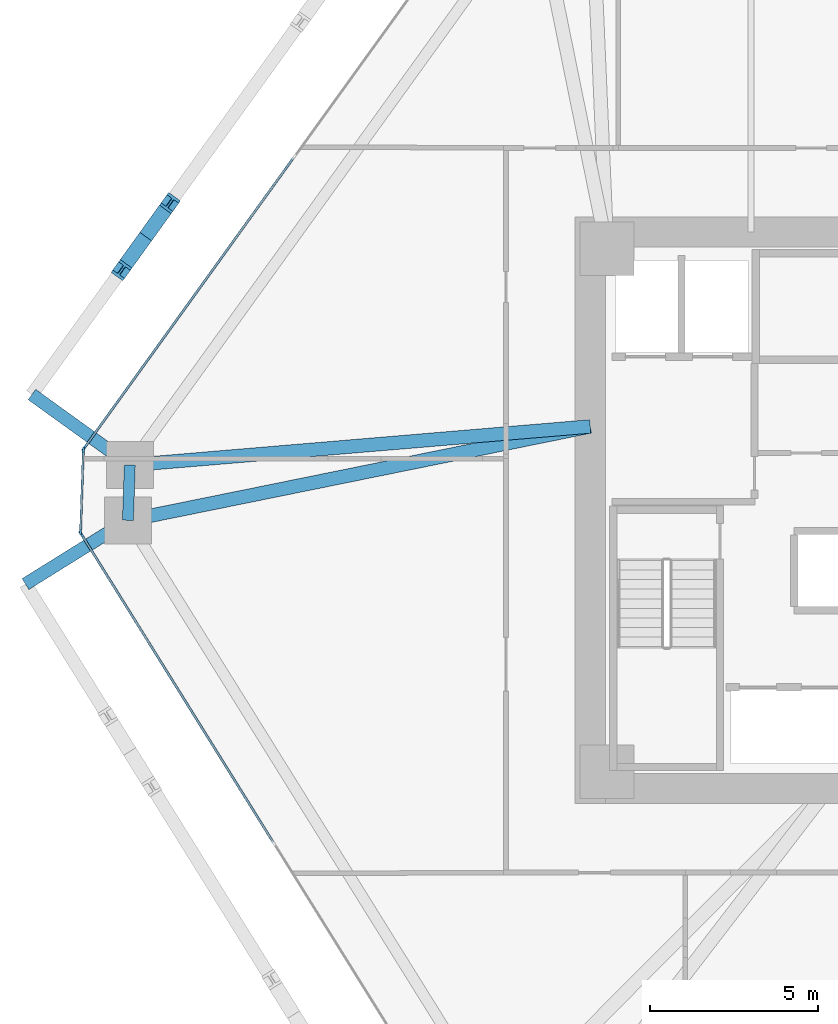
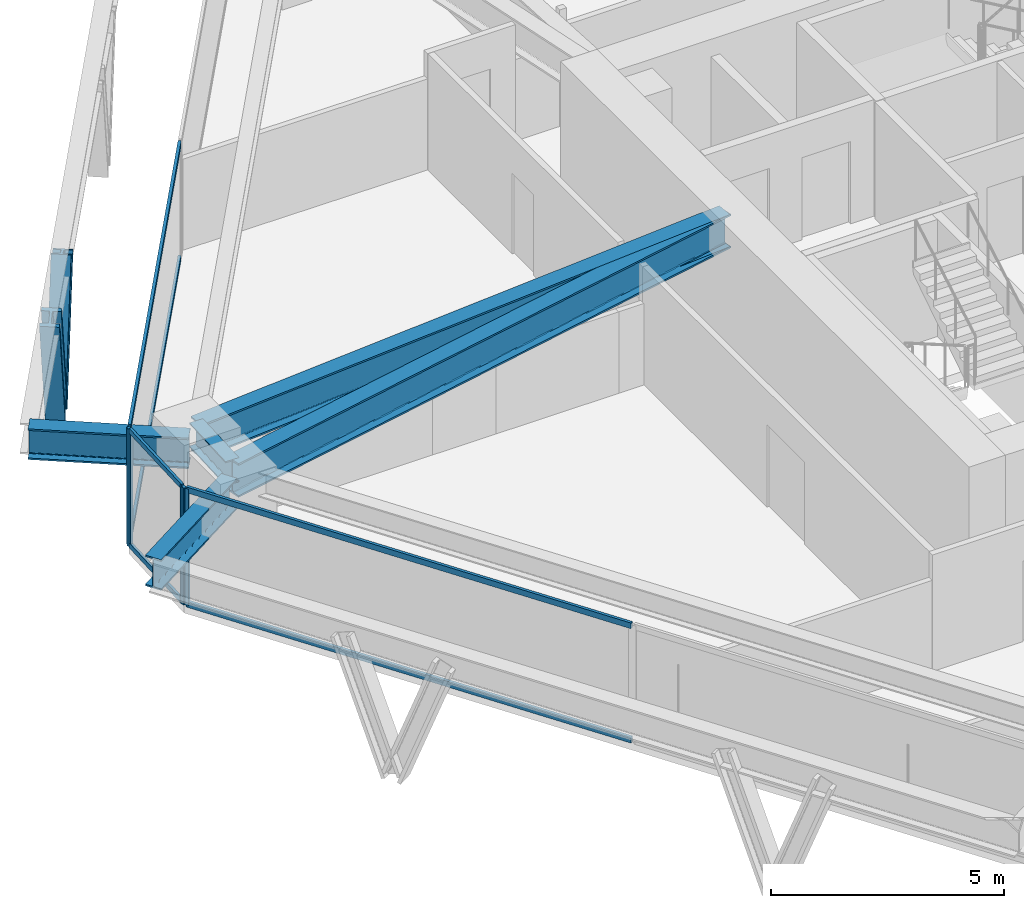
# One storey, part 4 of 14: 12 members, 5 beams, 3 elements without a shape of their own.
"""IFC4 building model written with IfcOpenShell, lengths in metres."""

from ifc_helpers import new_model, si_unit, direction, frame, origin, origin_2d, place, context, subcontext, project, spatial, rectangle, i_section, extrude, source, transform, mapped, material, layer, layer_set, material_profile, profile_set, type_object, type_shapes, element, aggregate, save


model = new_model("IFC4")

# Units and contexts
model_context = context("Model", 3, precision=1e-05, world=origin(), true_north=direction((0.0, 1.0)))
body_context = subcontext(model_context, "Body", "Model", "MODEL_VIEW")
ifc_project = project(units=[si_unit("LENGTHUNIT", "METRE"), si_unit("AREAUNIT", "SQUARE_METRE"), si_unit("VOLUMEUNIT", "CUBIC_METRE"), si_unit("PLANEANGLEUNIT", "RADIAN"), si_unit("MASSUNIT", "GRAM", prefix="KILO")], contexts=[model_context])

# Site, building, storey
site_placement = place(None, origin())
site = spatial("IfcSite", under=ifc_project, at=site_placement, CompositionType="ELEMENT")
building_placement = place(site_placement, origin())
building = spatial("IfcBuilding", under=site, at=building_placement, Name="Durnholm Broadcast Tower", CompositionType="ELEMENT")
storey_placement = place(building_placement, frame((0.0, 0.0, 48.89990234375)))
storey = spatial("IfcBuildingStorey", under=building, at=storey_placement, Name="L11", CompositionType="ELEMENT", Elevation=48.89990234375)

# Beams
ifc_material_1 = material(Name="Steel ASTM A992 Grade 50", Category="steel")
ifc_material_profile_1 = material_profile(ifc_material_1, i_section(OverallWidth=0.3291015625, OverallDepth=0.635009765625, WebThickness=0.017822265625, FlangeThickness=0.031005859375, FilletRadius=0.02783203125, at=origin_2d()), Name="W24X162")
ifc_profile_set_1 = profile_set([ifc_material_profile_1], Name="Steel ASTM A992 Grade 50")
beam_type_1 = type_object("IfcBeamType", Name="STL-SP-W24X162", PredefinedType="SPANDREL", material=ifc_profile_set_1)
shared_shape_1 = source(origin(), body_context, "Body", "SweptSolid", [
    extrude(i_section(OverallWidth=0.3291015625, OverallDepth=0.635009765625, WebThickness=0.017822265625, FlangeThickness=0.031005859375, FilletRadius=0.02783203125, at=origin_2d()), origin(), (0.0, 0.0, 1.0), 1.648193359375),
])
type_shapes(beam_type_1, [shared_shape_1])
beam_1_placement = place(storey_placement, frame((-24.0908203125, -0.2998046875, 2.7275390625), z_axis=(0.033921477804, 0.999424501072, 0.0), x_axis=(-0.999424501072, 0.033921477804, 0.0)))
element("IfcBeam", 1, at=beam_1_placement, inside=storey, type_object=beam_type_1, Name="L11 perimeter spandrel girder 02", PredefinedType="SPANDREL", context=body_context, shape_type="MappedRepresentation", body=[
    mapped(shared_shape_1, transform((0.0, 0.0, 0.0), x_axis=(1.0, 0.0, 0.0), y_axis=(0.0, 1.0, 0.0), z_axis=(0.0, 0.0, 1.0), scale=1.0)),
])
ifc_material_profile_2 = material_profile(ifc_material_1, i_section(OverallWidth=0.404052734375, OverallDepth=0.885009765625, WebThickness=0.0244140625, FlangeThickness=0.0439453125, FilletRadius=0.03564453125, at=origin_2d()), Name="W33X291")
ifc_profile_set_2 = profile_set([ifc_material_profile_2], Name="Steel ASTM A992 Grade 50")
beam_type_2 = type_object("IfcBeamType", Name="STL-GR-W33X291", PredefinedType="USERDEFINED", material=ifc_profile_set_2)
shared_shape_2 = source(origin(), body_context, "Body", "SweptSolid", [
    extrude(i_section(OverallWidth=0.404052734375, OverallDepth=0.885009765625, WebThickness=0.0244140625, FlangeThickness=0.0439453125, FilletRadius=0.03564453125, at=origin_2d()), origin(), (0.0, 0.0, 1.0), 14.072021484375),
])
beam_2_placement = place(storey_placement, frame((-10.300048828125, 2.5, 2.6025390625), z_axis=(-0.980007356767, -0.198961254225, 0.0), x_axis=(0.198961254225, -0.980007356767, 0.0)))
element("IfcBeam", 2, at=beam_2_placement, inside=storey, type_object=beam_type_2, Name="L11 radial primary floor girder 02", ObjectType="GIRDER", PredefinedType="USERDEFINED", context=body_context, shape_type="MappedRepresentation", body=[
    mapped(shared_shape_2, transform((0.0, 0.0, 0.0), x_axis=(1.0, 0.0, 0.0), y_axis=(0.0, 1.0, 0.0), z_axis=(0.0, 0.0, 1.0), scale=1.0)),
])
shared_shape_3 = source(origin(), body_context, "Body", "SweptSolid", [
    extrude(i_section(OverallWidth=0.404052734375, OverallDepth=0.885009765625, WebThickness=0.0244140625, FlangeThickness=0.0439453125, FilletRadius=0.03564453125, at=origin_2d()), origin(), (0.0, 0.0, 1.0), 13.783203125),
])
type_shapes(beam_type_2, [shared_shape_2, shared_shape_3])
beam_3_placement = place(storey_placement, frame((-10.300048828125, 2.5, 2.6025390625), z_axis=(-0.996497460403, -0.083623031579, 0.0), x_axis=(0.083623031579, -0.996497460403, 0.0)))
element("IfcBeam", 3, at=beam_3_placement, inside=storey, type_object=beam_type_2, Name="L11 radial primary floor girder 03", ObjectType="GIRDER", PredefinedType="USERDEFINED", context=body_context, shape_type="MappedRepresentation", body=[
    mapped(shared_shape_3, transform((0.0, 0.0, 0.0), x_axis=(1.0, 0.0, 0.0), y_axis=(0.0, 1.0, 0.0), z_axis=(0.0, 0.0, 1.0), scale=1.0)),
])
ifc_material_profile_3 = material_profile(ifc_material_1, i_section(OverallWidth=0.385009765625, OverallDepth=0.802978515625, WebThickness=0.023681640625, FlangeThickness=0.0419921875, FilletRadius=0.032958984375, at=origin_2d()), Name="W30X261")
ifc_profile_set_3 = profile_set([ifc_material_profile_3], Name="Steel ASTM A992 Grade 50")
beam_type_3 = type_object("IfcBeamType", Name="BM-EXO-TIE", PredefinedType="USERDEFINED", material=ifc_profile_set_3)
shared_shape_4 = source(origin(), body_context, "Body", "SweptSolid", [
    extrude(i_section(OverallWidth=0.385009765625, OverallDepth=0.802978515625, WebThickness=0.023681640625, FlangeThickness=0.0419921875, FilletRadius=0.032958984375, at=origin_2d()), origin(), (0.0, 0.0, 1.0), 3.4560546875),
])
beam_4_placement = place(storey_placement, frame((-24.212890625, -0.375732421875, 2.30859375), z_axis=(-0.848874183218, -0.528594949906, 0.0), x_axis=(0.528594949906, -0.848874183218, 0.0)))
element("IfcBeam", 4, at=beam_4_placement, inside=storey, type_object=beam_type_3, Name="L11 exoskeleton stand-off tie bracket F6.1", ObjectType="GIRDER", PredefinedType="USERDEFINED", context=body_context, shape_type="MappedRepresentation", body=[
    mapped(shared_shape_4, transform((0.0, 0.0, 0.0), x_axis=(1.0, 0.0, 0.0), y_axis=(0.0, 1.0, 0.0), z_axis=(0.0, 0.0, 1.0), scale=1.0)),
])
shared_shape_5 = source(origin(), body_context, "Body", "SweptSolid", [
    extrude(i_section(OverallWidth=0.385009765625, OverallDepth=0.802978515625, WebThickness=0.023681640625, FlangeThickness=0.0419921875, FilletRadius=0.032958984375, at=origin_2d()), origin(), (0.0, 0.0, 1.0), 3.455810546875),
])
type_shapes(beam_type_3, [shared_shape_4, shared_shape_5])
beam_5_placement = place(storey_placement, frame((-24.15185546875, 1.431396484375, 2.30859375), z_axis=(-0.811133512552, 0.584861030344, 0.0), x_axis=(-0.584861030344, -0.811133512552, 0.0)))
element("IfcBeam", 5, at=beam_5_placement, inside=storey, type_object=beam_type_3, Name="L11 exoskeleton stand-off tie bracket F5.2", ObjectType="GIRDER", PredefinedType="USERDEFINED", context=body_context, shape_type="MappedRepresentation", body=[
    mapped(shared_shape_5, transform((0.0, 0.0, 0.0), x_axis=(1.0, 0.0, 0.0), y_axis=(0.0, 1.0, 0.0), z_axis=(0.0, 0.0, 1.0), scale=1.0)),
])

# Members
ifc_material_2 = material(Name="Steel ASTM A913 Grade 65", Category="steel")
ifc_material_profile_4 = material_profile(ifc_material_2, i_section(OverallWidth=0.43212890625, OverallDepth=0.497802734375, WebThickness=0.0556640625, FlangeThickness=0.0888671875, FilletRadius=0.030517578125, at=origin_2d()), Name="W14X500")
ifc_profile_set_4 = profile_set([ifc_material_profile_4], Name="Steel ASTM A913 Grade 65")
member_type_1 = type_object("IfcMemberType", Name="STL-DG-W14X500", PredefinedType="BRACE", material=ifc_profile_set_4)
shared_shape_6 = source(origin(), body_context, "Body", "SweptSolid", [
    extrude(i_section(OverallWidth=0.43212890625, OverallDepth=0.497802734375, WebThickness=0.0556640625, FlangeThickness=0.0888671875, FilletRadius=0.030517578125, at=origin_2d()), origin(), (0.0, 0.0, 1.0), 3.523193359375),
])
type_shapes(member_type_1, [shared_shape_6])
for number, where, z_axis, x_axis, name in (
    (6, (-23.5595703125, 8.16259765625, -0.991455078125), (0.204839138341, 0.284044529113, 0.93667477434), (-0.81109123444, 0.58491966065, 0.0), "L11 stand-off diagrid brace F5.D2.1"),
    (7, (-23.5595703125, 8.16259765625, -0.991455078125), (-0.20477274847, -0.284048560399, 0.936688068046), (0.811185111535, -0.584789461963, 0.0), "L11 stand-off diagrid brace F5.D2.2"),
):
    element("IfcMember", number, at=place(storey_placement, frame(where, z_axis=z_axis, x_axis=x_axis)), inside=storey, type_object=member_type_1, Name=name, PredefinedType="BRACE", context=body_context, shape_type="MappedRepresentation", body=[
        mapped(shared_shape_6, transform((0.0, 0.0, 0.0), x_axis=(1.0, 0.0, 0.0), y_axis=(0.0, 1.0, 0.0), z_axis=(0.0, 0.0, 1.0), scale=1.0)),
    ])

# Curtain wall, members
ifc_material_3 = material(Name="Aluminium and Solar Control IGU", Category="aluminium")
ifc_layer_1 = layer(ifc_material_3, 0.1650390625)
ifc_layer_set_1 = layer_set([ifc_layer_1], Name="Aluminium and Solar Control IGU")
curtain_wall_type_1 = type_object("IfcCurtainWallType", Name="CW-SYS-5", PredefinedType="NOTDEFINED", material=ifc_layer_set_1)
curtain_wall_1_placement = place(storey_placement, origin())
curtain_wall_1 = element("IfcCurtainWall", 8, at=curtain_wall_1_placement, inside=storey, type_object=curtain_wall_type_1, Name="L11 curtain wall CW-CORNER CW-L11-CRN-01", PredefinedType="NOTDEFINED")
ifc_material_4 = material(Name="Aluminium 6063-T6", Category="aluminium")
ifc_material_profile_5 = material_profile(ifc_material_4, rectangle(XDim=0.06494140625, YDim=0.1650390625, at=origin_2d()), Name="CWM65X165")
ifc_profile_set_5 = profile_set([ifc_material_profile_5], Name="Aluminium 6063-T6")
member_type_2 = type_object("IfcMemberType", Name="CW-SYS-5-MUL", PredefinedType="MULLION", material=ifc_profile_set_5)
shared_shape_7 = source(origin(), body_context, "Body", "SweptSolid", [
    extrude(rectangle(XDim=0.06494140625, YDim=0.1650390625, at=origin_2d()), origin(), (0.0, 0.0, 1.0), 3.06005859375),
])
type_shapes(member_type_2, [shared_shape_7])
member_1_placement = place(storey_placement, frame((-25.50341796875, -0.6455078125, 0.0), z_axis=(0.0, 0.0, 1.0), x_axis=(-0.999427277772, 0.033839569233, 0.0)))
member_1 = element("IfcMember", 9, at=member_1_placement, type_object=member_type_2, Name="CW-CORNER mullion 1", PredefinedType="MULLION", context=body_context, shape_type="MappedRepresentation", body=[
    mapped(shared_shape_7, transform((0.0, 0.0, 0.0), x_axis=(1.0, 0.0, 0.0), y_axis=(0.0, 1.0, 0.0), z_axis=(0.0, 0.0, 1.0), scale=1.0)),
])
member_2_placement = place(storey_placement, frame((-25.4208984375, 1.7880859375, 0.0), z_axis=(0.0, 0.0, 1.0), x_axis=(-0.999427277772, 0.033839569233, 0.0)))
member_2 = element("IfcMember", 10, at=member_2_placement, type_object=member_type_2, Name="CW-CORNER mullion 2", PredefinedType="MULLION", context=body_context, shape_type="MappedRepresentation", body=[
    mapped(shared_shape_7, transform((0.0, 0.0, 0.0), x_axis=(1.0, 0.0, 0.0), y_axis=(0.0, 1.0, 0.0), z_axis=(0.0, 0.0, 1.0), scale=1.0)),
])
ifc_material_profile_6 = material_profile(ifc_material_4, rectangle(XDim=0.06494140625, YDim=0.1298828125, at=origin_2d()), Name="CWT65X130")
ifc_profile_set_6 = profile_set([ifc_material_profile_6], Name="Aluminium 6063-T6")
member_type_3 = type_object("IfcMemberType", Name="CW-SYS-5-TRN", PredefinedType="USERDEFINED", material=ifc_profile_set_6)
shared_shape_8 = source(origin(), body_context, "Body", "SweptSolid", [
    extrude(rectangle(XDim=0.06494140625, YDim=0.1298828125, at=origin_2d()), origin(), (0.0, 0.0, 1.0), 2.3701171875),
])
type_shapes(member_type_3, [shared_shape_8])
member_3_placement = place(storey_placement, frame((-25.502197265625, -0.613037109375, 0.03271484375), z_axis=(0.033788158898, 0.999429017148, 0.0), x_axis=(-0.999429017148, 0.033788158898, 0.0)))
member_3 = element("IfcMember", 11, at=member_3_placement, type_object=member_type_3, Name="CW-CORNER transom 1.1", ObjectType="TRANSOM", PredefinedType="USERDEFINED", context=body_context, shape_type="MappedRepresentation", body=[
    mapped(shared_shape_8, transform((0.0, 0.0, 0.0), x_axis=(1.0, 0.0, 0.0), y_axis=(0.0, 1.0, 0.0), z_axis=(0.0, 0.0, 1.0), scale=1.0)),
])
member_4_placement = place(storey_placement, frame((-25.502197265625, -0.613037109375, 3.027587890625), z_axis=(0.033788158898, 0.999429017148, 0.0), x_axis=(-0.999429017148, 0.033788158898, 0.0)))
member_4 = element("IfcMember", 12, at=member_4_placement, type_object=member_type_3, Name="CW-CORNER transom 1.2", ObjectType="TRANSOM", PredefinedType="USERDEFINED", context=body_context, shape_type="MappedRepresentation", body=[
    mapped(shared_shape_8, transform((0.0, 0.0, 0.0), x_axis=(1.0, 0.0, 0.0), y_axis=(0.0, 1.0, 0.0), z_axis=(0.0, 0.0, 1.0), scale=1.0)),
])
aggregate(curtain_wall_1, [member_1, member_2, member_3, member_4])

# Curtain wall, member
ifc_layer_2 = layer(ifc_material_3, 0.18994140625)
ifc_layer_set_2 = layer_set([ifc_layer_2], Name="Aluminium and Solar Control IGU")
curtain_wall_type_2 = type_object("IfcCurtainWallType", Name="CW-SYS-3", PredefinedType="NOTDEFINED", material=ifc_layer_set_2)
curtain_wall_2_placement = place(storey_placement, origin())
curtain_wall_2 = element("IfcCurtainWall", 13, at=curtain_wall_2_placement, inside=storey, type_object=curtain_wall_type_2, Name="L11 curtain wall CW-Z12-VIS CW-L11-F02", PredefinedType="NOTDEFINED")
ifc_material_profile_7 = material_profile(ifc_material_4, rectangle(XDim=0.070068359375, YDim=0.18994140625, at=origin_2d()), Name="CWM70X190")
ifc_profile_set_7 = profile_set([ifc_material_profile_7], Name="Aluminium 6063-T6")
member_type_4 = type_object("IfcMemberType", Name="CW-SYS-3-MUL", PredefinedType="MULLION", material=ifc_profile_set_7)
shared_shape_9 = source(origin(), body_context, "Body", "SweptSolid", [
    extrude(rectangle(XDim=0.070068359375, YDim=0.18994140625, at=origin_2d()), origin(), (0.0, 0.0, 1.0), 3.06005859375),
])
type_shapes(member_type_4, [shared_shape_9])
member_5_placement = place(storey_placement, frame((-25.3994140625, 1.848876953125, 0.0), z_axis=(0.0, 0.0, 1.0), x_axis=(-0.81116057493, 0.584823496176, 0.0)))
member_5 = element("IfcMember", 14, at=member_5_placement, type_object=member_type_4, Name="CW-Z12-VIS mullion 1", PredefinedType="MULLION", context=body_context, shape_type="MappedRepresentation", body=[
    mapped(shared_shape_9, transform((0.0, 0.0, 0.0), x_axis=(1.0, 0.0, 0.0), y_axis=(0.0, 1.0, 0.0), z_axis=(0.0, 0.0, 1.0), scale=1.0)),
])

curtain_wall_3_placement = place(storey_placement, origin())
curtain_wall_3 = element("IfcCurtainWall", 15, at=curtain_wall_3_placement, inside=storey, type_object=curtain_wall_type_2, Name="L11 curtain wall CW-Z12-VIS CW-L11-F12", PredefinedType="NOTDEFINED")
member_6_placement = place(storey_placement, frame((-25.48583984375, -0.707763671875, 0.0), z_axis=(0.0, 0.0, 1.0), x_axis=(-0.848875785503, -0.528592376777, 0.0)))
member_6 = element("IfcMember", 16, at=member_6_placement, type_object=member_type_4, Name="CW-Z12-VIS mullion 3", PredefinedType="MULLION", context=body_context, shape_type="MappedRepresentation", body=[
    mapped(shared_shape_9, transform((0.0, 0.0, 0.0), x_axis=(1.0, 0.0, 0.0), y_axis=(0.0, 1.0, 0.0), z_axis=(0.0, 0.0, 1.0), scale=1.0)),
])

# Member
ifc_material_profile_8 = material_profile(ifc_material_4, rectangle(XDim=0.070068359375, YDim=0.14990234375, at=origin_2d()), Name="CWT70X150")
ifc_profile_set_8 = profile_set([ifc_material_profile_8], Name="Aluminium 6063-T6")
member_type_5 = type_object("IfcMemberType", Name="CW-SYS-3-TRN", PredefinedType="USERDEFINED", material=ifc_profile_set_8)
shared_shape_10 = source(origin(), body_context, "Body", "SweptSolid", [
    extrude(rectangle(XDim=0.070068359375, YDim=0.14990234375, at=origin_2d()), origin(), (0.0, 0.0, 1.0), 10.6455078125),
])
member_7_placement = place(storey_placement, frame((-25.37890625, 1.877197265625, 0.03515625), z_axis=(0.584812103659, 0.811168788486, 0.0), x_axis=(-0.811168788486, 0.584812103659, 0.0)))
member_7 = element("IfcMember", 17, at=member_7_placement, type_object=member_type_5, Name="CW-Z12-VIS transom 1.1", ObjectType="TRANSOM", PredefinedType="USERDEFINED", context=body_context, shape_type="MappedRepresentation", body=[
    mapped(shared_shape_10, transform((0.0, 0.0, 0.0), x_axis=(1.0, 0.0, 0.0), y_axis=(0.0, 1.0, 0.0), z_axis=(0.0, 0.0, 1.0), scale=1.0)),
])

member_8_placement = place(storey_placement, frame((-25.37890625, 1.877197265625, 3.025146484375), z_axis=(0.584812103659, 0.811168788486, 0.0), x_axis=(-0.811168788486, 0.584812103659, 0.0)))
member_8 = element("IfcMember", 18, at=member_8_placement, type_object=member_type_5, Name="CW-Z12-VIS transom 1.2", ObjectType="TRANSOM", PredefinedType="USERDEFINED", context=body_context, shape_type="MappedRepresentation", body=[
    mapped(shared_shape_10, transform((0.0, 0.0, 0.0), x_axis=(1.0, 0.0, 0.0), y_axis=(0.0, 1.0, 0.0), z_axis=(0.0, 0.0, 1.0), scale=1.0)),
])

aggregate(curtain_wall_2, [member_5, member_7, member_8])

shared_shape_11 = source(origin(), body_context, "Body", "SweptSolid", [
    extrude(rectangle(XDim=0.070068359375, YDim=0.14990234375, at=origin_2d()), origin(), (0.0, 0.0, 1.0), 10.796630859375),
])
type_shapes(member_type_5, [shared_shape_10, shared_shape_11])
member_9_placement = place(storey_placement, frame((-19.760498046875, -9.902587890625, 0.03515625), z_axis=(-0.528575362968, 0.848886379714, 0.0), x_axis=(-0.848886379714, -0.528575362968, 0.0)))
member_9 = element("IfcMember", 19, at=member_9_placement, type_object=member_type_5, Name="CW-Z12-VIS transom 2.1", ObjectType="TRANSOM", PredefinedType="USERDEFINED", context=body_context, shape_type="MappedRepresentation", body=[
    mapped(shared_shape_11, transform((0.0, 0.0, 0.0), x_axis=(1.0, 0.0, 0.0), y_axis=(0.0, 1.0, 0.0), z_axis=(0.0, 0.0, 1.0), scale=1.0)),
])

member_10_placement = place(storey_placement, frame((-19.760498046875, -9.902587890625, 3.025146484375), z_axis=(-0.528575362968, 0.848886379714, 0.0), x_axis=(-0.848886379714, -0.528575362968, 0.0)))
member_10 = element("IfcMember", 20, at=member_10_placement, type_object=member_type_5, Name="CW-Z12-VIS transom 2.2", ObjectType="TRANSOM", PredefinedType="USERDEFINED", context=body_context, shape_type="MappedRepresentation", body=[
    mapped(shared_shape_11, transform((0.0, 0.0, 0.0), x_axis=(1.0, 0.0, 0.0), y_axis=(0.0, 1.0, 0.0), z_axis=(0.0, 0.0, 1.0), scale=1.0)),
])

aggregate(curtain_wall_3, [member_6, member_9, member_10])

save(model, "model.ifc")
